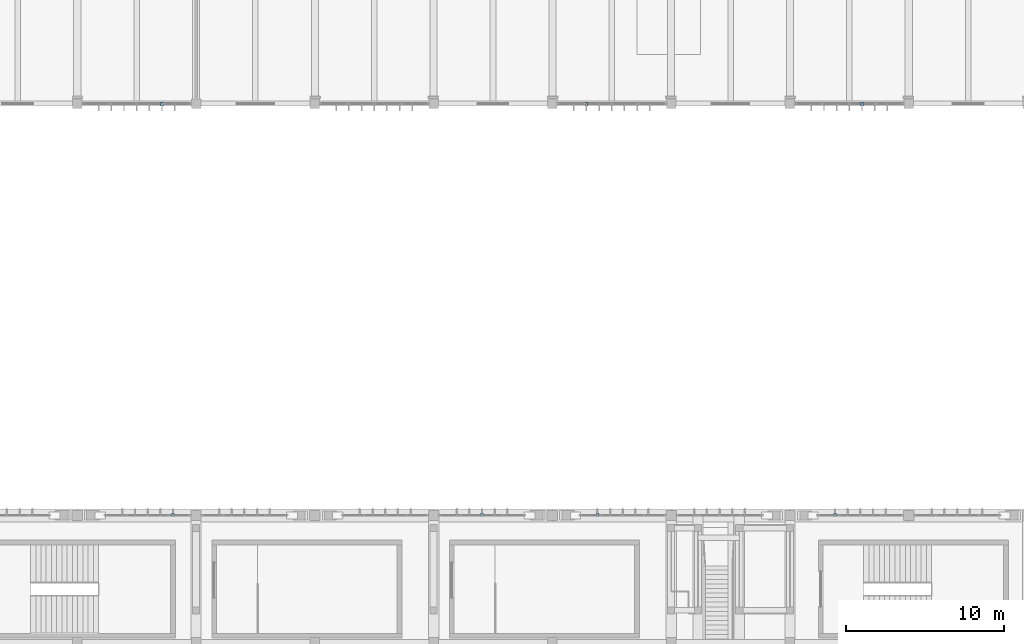
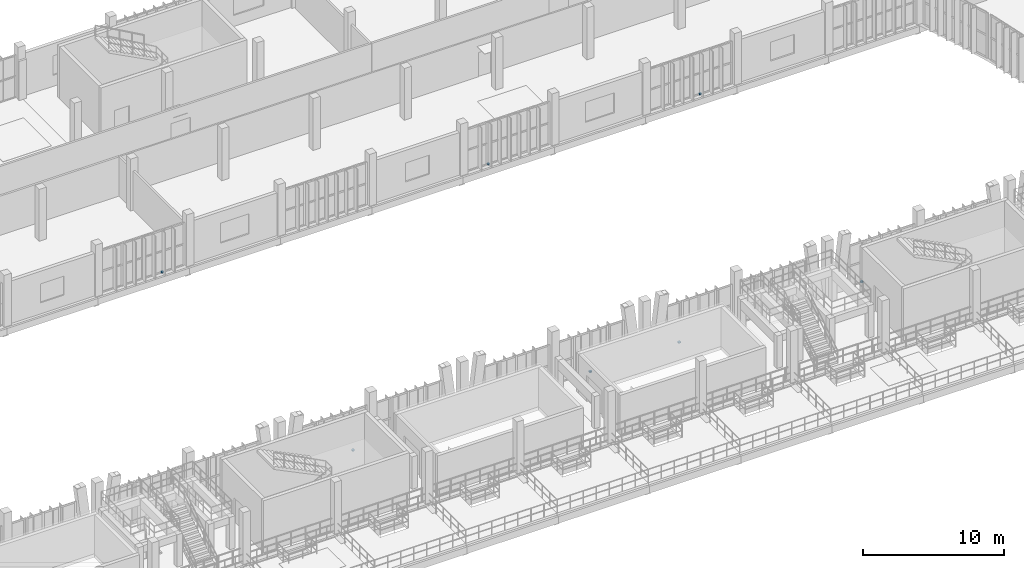
# One storey, part 62 of 81: 7 discrete accessories.
"""IFC4 building model written with IfcOpenShell, lengths in metres."""

import ifcopenshell
import ifcopenshell.guid

model = None  # the IFC model being written
_history = None  # IfcOwnerHistory: only IFC2X3 demands one
_inside = {}  # id of a spatial element -> (the spatial element, [elements in it])
_under = {}  # id of a project, library or spatial element -> (it, [spatial elements below it])
_declared = {}  # id of a project -> (the project, [libraries it declares])
_typed = {}  # id of a type object -> (the type object, [elements of that type])
_made_of = {}  # id of a material, layer set ... -> (it, [elements and type objects made of it])


def new_model(schema):
    """Start an empty IFC model of exactly this schema.

    Asked for "IFC4X3", IfcOpenShell would pick the latest addendum, in which some entities
    have other attributes; the version numbers below select the first issue.
    IFC2X3 requires an IfcOwnerHistory on every rooted entity: one is made here for all.
    """
    global model, _history
    if schema == "IFC4X3":
        model = ifcopenshell.file(schema_version=(4, 3, 0, 0))
    else:
        model = ifcopenshell.file(schema=schema)
    _inside.clear()
    _under.clear()
    _declared.clear()
    _typed.clear()
    _made_of.clear()
    _history = None
    if model.schema == "IFC2X3":
        org = make("IfcOrganization", Name="unknown")
        user = make(
            "IfcPersonAndOrganization",
            ThePerson=make("IfcPerson", FamilyName="unknown"),
            TheOrganization=org,
        )
        app = make(
            "IfcApplication",
            ApplicationDeveloper=org,
            Version="unknown",
            ApplicationFullName="unknown",
            ApplicationIdentifier="unknown",
        )
        _history = make(
            "IfcOwnerHistory",
            OwningUser=user,
            OwningApplication=app,
            ChangeAction="ADDED",
            CreationDate=0,
        )
    return model


def make(cls, **values):
    """One entity of the class cls with the attributes given. An attribute that is None is left unset."""
    return model.create_entity(
        cls, **{name: value for name, value in values.items() if value is not None}
    )


def rooted(cls, **values):
    """An entity with a GlobalId (a new one), such as an element, a storey or a relation."""
    return make(cls, GlobalId=ifcopenshell.guid.new(), OwnerHistory=_history, **values)


def si_unit(unit_type, name, prefix=None):
    """IfcSIUnit, for example si_unit("LENGTHUNIT", "METRE", prefix="MILLI")."""
    return make("IfcSIUnit", UnitType=unit_type, Prefix=prefix, Name=name)


def assignment(units):
    """IfcUnitAssignment: the units of a project."""
    return None if units is None else make("IfcUnitAssignment", Units=units)


def point(xyz):
    """IfcCartesianPoint."""
    return None if xyz is None else make("IfcCartesianPoint", Coordinates=xyz)


def direction(xyz):
    """IfcDirection."""
    return None if xyz is None else make("IfcDirection", DirectionRatios=xyz)


def frame(location, z_axis=None, x_axis=None):
    """IfcAxis2Placement3D, a coordinate frame: its origin and axes. An axis left out is left unset."""
    return make(
        "IfcAxis2Placement3D",
        Location=point(location),
        Axis=direction(z_axis),
        RefDirection=direction(x_axis),
    )


def frame_2d(location, x_axis=None):
    """IfcAxis2Placement2D, a coordinate frame in the plane: its origin and x axis."""
    return make(
        "IfcAxis2Placement2D", Location=point(location), RefDirection=direction(x_axis)
    )


def origin():
    """The frame at (0, 0, 0) with its axes left unset."""
    return frame((0.0, 0.0, 0.0))


def origin_2d():
    """The frame at (0, 0) in the plane with its x axis left unset."""
    return frame_2d((0.0, 0.0))


def place(relative_to, where):
    """IfcLocalPlacement: puts the frame where relative to a parent placement (None: the world)."""
    return make(
        "IfcLocalPlacement", PlacementRelTo=relative_to, RelativePlacement=where
    )


def context(
    kind, dimensions, precision=None, world=None, true_north=None, identifier=None
):
    """IfcGeometricRepresentationContext, for example the 3D "Model" context."""
    return make(
        "IfcGeometricRepresentationContext",
        ContextIdentifier=identifier,
        ContextType=kind,
        CoordinateSpaceDimension=dimensions,
        Precision=precision,
        WorldCoordinateSystem=world,
        TrueNorth=true_north,
    )


def subcontext(parent, identifier, kind, view, scale=None):
    """IfcGeometricRepresentationSubContext, for example "Body" below "Model"."""
    return make(
        "IfcGeometricRepresentationSubContext",
        ContextIdentifier=identifier,
        ContextType=kind,
        ParentContext=parent,
        TargetScale=scale,
        TargetView=view,
    )


def project(units=None, contexts=None):
    """IfcProject with its units and contexts."""
    return rooted(
        "IfcProject",
        Name="project",
        RepresentationContexts=contexts,
        UnitsInContext=assignment(units),
    )


def spatial(cls, under=None, at=None, **own):
    """A site, building, storey or space (cls), placed at a placement, below another one or the project."""
    s = rooted(cls, ObjectPlacement=at, **own)
    if under is not None:
        _under.setdefault(under.id(), (under, []))[1].append(s)
    return s


def profile(cls, at=None, kind="AREA", **sizes):
    """A parametric profile (cls). Its sizes go by their IFC names, for example OverallWidth=200.0."""
    return make(cls, ProfileType=kind, Position=at, **sizes)


def rectangle(**sizes):
    """IfcRectangleProfileDef."""
    return profile("IfcRectangleProfileDef", **sizes)


def extrude(swept, where, along, depth):
    """IfcExtrudedAreaSolid: the profile swept, set in the frame where, extruded along a direction by depth."""
    return make(
        "IfcExtrudedAreaSolid",
        SweptArea=swept,
        Position=where,
        ExtrudedDirection=direction(along),
        Depth=depth,
    )


def shape(context_of_items, identifier, shape_type, items):
    """IfcShapeRepresentation: the items that make up one representation, for example the "Body"."""
    return make(
        "IfcShapeRepresentation",
        ContextOfItems=context_of_items,
        RepresentationIdentifier=identifier,
        RepresentationType=shape_type,
        Items=items,
    )


def material(Name=None, Category=None):
    """IfcMaterial."""
    return make("IfcMaterial", Name=Name, Category=Category)


def made_of(thing, what):
    """Note that an element or type object is made of a material, layer set ...; save() writes the relation."""
    if what is not None:
        _made_of.setdefault(what.id(), (what, []))[1].append(thing)
    return thing


def type_object(cls, material=None, **own):
    """A type object (cls), such as IfcWallType, which elements share."""
    return made_of(rooted(cls, **own), material)


def element(
    cls,
    number,
    at=None,
    inside=None,
    cuts=None,
    type_object=None,
    material=None,
    context=None,
    identifier="Body",
    shape_type=None,
    held_by="IfcProductDefinitionShape",
    body=None,
    shapes=None,
    **own,
):
    """One element of the class cls, such as IfcWall. Its Tag is "e" and its number.

    at: its placement. inside: the storey or other place that contains it. cuts: it is an
    opening in that element (IfcRelVoidsElement). A single representation is given by context,
    identifier, shape_type and body (its items); several are given by shapes. held_by: the class
    of the entity that holds the representations. save() writes the other relations.
    """
    e = rooted(cls, Tag="e%d" % number, ObjectPlacement=at, **own)
    if body is not None:
        shapes = [shape(context, identifier, shape_type, body)]
    if shapes is not None:
        e.Representation = make(held_by, Representations=shapes)
    if inside is not None:
        _inside.setdefault(inside.id(), (inside, []))[1].append(e)
    if cuts is not None:
        rooted(
            "IfcRelVoidsElement", RelatingBuildingElement=cuts, RelatedOpeningElement=e
        )
    if type_object is not None:
        _typed.setdefault(type_object.id(), (type_object, []))[1].append(e)
    return made_of(e, material)


def aggregate(whole, parts):
    """IfcRelAggregates: a whole, such as a stair, and the parts it consists of."""
    return rooted("IfcRelAggregates", RelatingObject=whole, RelatedObjects=parts)


def save(model, path):
    """Write the relations noted so far, then the file.

    IfcRelAggregates (storeys below a building ...), IfcRelContainedInSpatialStructure (elements
    in a storey), IfcRelDefinesByType, IfcRelAssociatesMaterial and IfcRelDeclares: one each for
    every whole, place, type object, material and project.
    """
    for whole, parts in _under.values():
        aggregate(whole, parts)
    for where, things in _inside.values():
        rooted(
            "IfcRelContainedInSpatialStructure",
            RelatedElements=things,
            RelatingStructure=where,
        )
    for kind, things in _typed.values():
        rooted("IfcRelDefinesByType", RelatedObjects=things, RelatingType=kind)
    for what, things in _made_of.values():
        rooted("IfcRelAssociatesMaterial", RelatedObjects=things, RelatingMaterial=what)
    for by, libraries in _declared.values():
        rooted("IfcRelDeclares", RelatingContext=by, RelatedDefinitions=libraries)
    model.write(path)


model = new_model("IFC4")

# Units and contexts
model_context = context("Model", 3, precision=1e-05, world=origin(), true_north=direction((0.0, 1.0)))
body_context = subcontext(model_context, "Body", "Model", "MODEL_VIEW")
ifc_project = project(units=[si_unit("LENGTHUNIT", "METRE"), si_unit("AREAUNIT", "SQUARE_METRE"), si_unit("VOLUMEUNIT", "CUBIC_METRE"), si_unit("PLANEANGLEUNIT", "RADIAN"), si_unit("MASSUNIT", "GRAM", prefix="KILO")], contexts=[model_context])

# Site, building, storey
site_placement = place(None, origin())
site = spatial("IfcSite", under=ifc_project, at=site_placement, CompositionType="ELEMENT")
building_placement = place(site_placement, origin())
building = spatial("IfcBuilding", under=site, at=building_placement, Name="Vourika Railside Aquatics Centre", CompositionType="ELEMENT")
storey_placement = place(building_placement, frame((0.0, 0.0, 4.800048828125)))
storey = spatial("IfcBuildingStorey", under=building, at=storey_placement, Name="L01", CompositionType="ELEMENT", Elevation=4.800048828125)

# Discrete accessories
ifc_material = material(Name="Duplex stainless steel EN 1.4462", Category="steel")
discrete_accessory_type = type_object("IfcDiscreteAccessoryType", Name="ACC-BRK-180", PredefinedType="BRACKET", material=ifc_material)
for number, where, z_axis, x_axis, name in (
    (1, (72.044921875, 66.030029296875, 0.0), (0.0, 0.0, 1.0), (0.0, 1.0, 0.0), "Stainless Fin Shoe Bracket BK-023"),
    (2, (91.554931640625, 66.030029296875, 0.0), (0.0, 0.0, 1.0), (0.0, 1.0, 0.0), "Stainless Fin Shoe Bracket BK-025"),
    (3, (98.844970703125, 66.030029296875, 0.0), (0.0, 0.0, 1.0), (0.0, 1.0, 0.0), "Stainless Fin Shoe Bracket BK-026"),
    (4, (113.844970703125, 66.030029296875, 0.0), (0.0, 0.0, 1.0), (0.0, 1.0, 0.0), "Stainless Fin Shoe Bracket BK-027"),
    (5, (71.35009765625, 91.969970703125, 0.0), (0.0, 0.0, 1.0), (0.0, -1.0, 0.0), "Stainless Fin Shoe Bracket BK-081"),
    (6, (98.14990234375, 91.969970703125, 0.0), (0.0, 0.0, 1.0), (0.0, -1.0, 0.0), "Stainless Fin Shoe Bracket BK-082"),
    (7, (115.550048828125, 91.969970703125, 0.0), (0.0, 0.0, 1.0), (0.0, -1.0, 0.0), "Stainless Fin Shoe Bracket BK-083"),
):
    element("IfcDiscreteAccessory", number, at=place(storey_placement, frame(where, z_axis=z_axis, x_axis=x_axis)), inside=storey, type_object=discrete_accessory_type, Name=name, PredefinedType="BRACKET", context=body_context, shape_type="SweptSolid", body=[
        extrude(rectangle(XDim=0.179931640625, YDim=0.179931640625, at=origin_2d()), origin(), (0.0, 0.0, 1.0), 0.1201171875),
    ])

save(model, "model.ifc")
